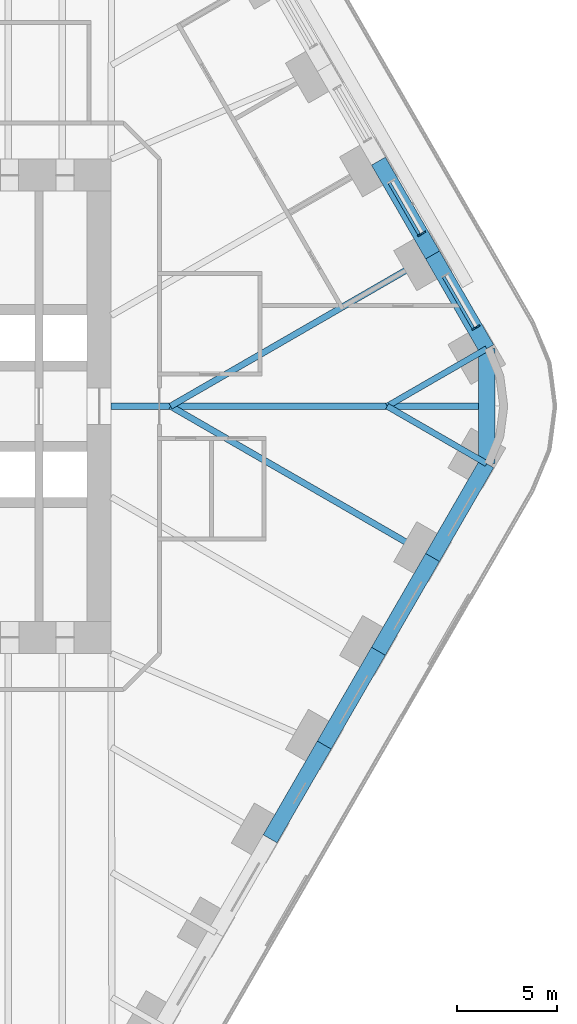
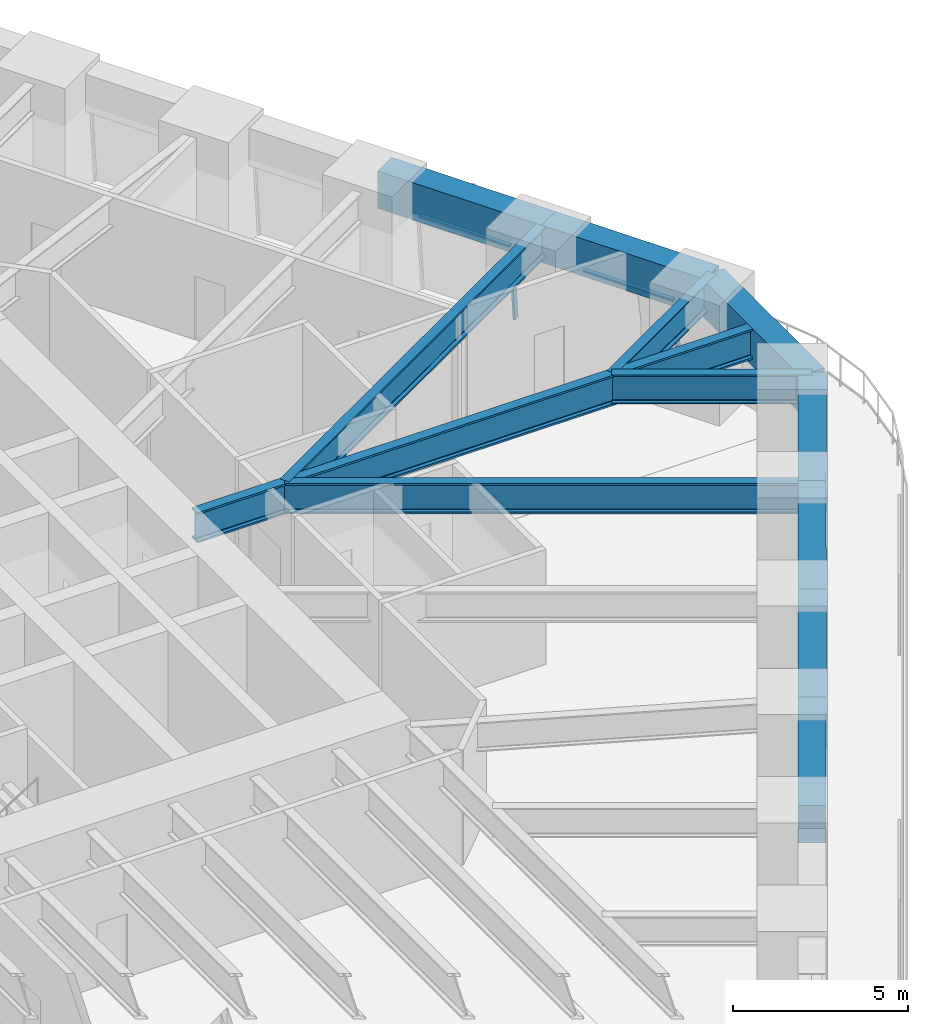
# One storey, part 12 of 23: 12 beams, 4 members, 2 elements without a shape of their own.
"""IFC4 building model written with IfcOpenShell, lengths in metres."""

import ifcopenshell
import ifcopenshell.guid

model = None  # the IFC model being written
_history = None  # IfcOwnerHistory: only IFC2X3 demands one
_inside = {}  # id of a spatial element -> (the spatial element, [elements in it])
_under = {}  # id of a project, library or spatial element -> (it, [spatial elements below it])
_declared = {}  # id of a project -> (the project, [libraries it declares])
_typed = {}  # id of a type object -> (the type object, [elements of that type])
_made_of = {}  # id of a material, layer set ... -> (it, [elements and type objects made of it])


def new_model(schema):
    """Start an empty IFC model of exactly this schema.

    Asked for "IFC4X3", IfcOpenShell would pick the latest addendum, in which some entities
    have other attributes; the version numbers below select the first issue.
    IFC2X3 requires an IfcOwnerHistory on every rooted entity: one is made here for all.
    """
    global model, _history
    if schema == "IFC4X3":
        model = ifcopenshell.file(schema_version=(4, 3, 0, 0))
    else:
        model = ifcopenshell.file(schema=schema)
    _inside.clear()
    _under.clear()
    _declared.clear()
    _typed.clear()
    _made_of.clear()
    _history = None
    if model.schema == "IFC2X3":
        org = make("IfcOrganization", Name="unknown")
        user = make(
            "IfcPersonAndOrganization",
            ThePerson=make("IfcPerson", FamilyName="unknown"),
            TheOrganization=org,
        )
        app = make(
            "IfcApplication",
            ApplicationDeveloper=org,
            Version="unknown",
            ApplicationFullName="unknown",
            ApplicationIdentifier="unknown",
        )
        _history = make(
            "IfcOwnerHistory",
            OwningUser=user,
            OwningApplication=app,
            ChangeAction="ADDED",
            CreationDate=0,
        )
    return model


def make(cls, **values):
    """One entity of the class cls with the attributes given. An attribute that is None is left unset."""
    return model.create_entity(
        cls, **{name: value for name, value in values.items() if value is not None}
    )


def rooted(cls, **values):
    """An entity with a GlobalId (a new one), such as an element, a storey or a relation."""
    return make(cls, GlobalId=ifcopenshell.guid.new(), OwnerHistory=_history, **values)


def si_unit(unit_type, name, prefix=None):
    """IfcSIUnit, for example si_unit("LENGTHUNIT", "METRE", prefix="MILLI")."""
    return make("IfcSIUnit", UnitType=unit_type, Prefix=prefix, Name=name)


def assignment(units):
    """IfcUnitAssignment: the units of a project."""
    return None if units is None else make("IfcUnitAssignment", Units=units)


def point(xyz):
    """IfcCartesianPoint."""
    return None if xyz is None else make("IfcCartesianPoint", Coordinates=xyz)


def direction(xyz):
    """IfcDirection."""
    return None if xyz is None else make("IfcDirection", DirectionRatios=xyz)


def frame(location, z_axis=None, x_axis=None):
    """IfcAxis2Placement3D, a coordinate frame: its origin and axes. An axis left out is left unset."""
    return make(
        "IfcAxis2Placement3D",
        Location=point(location),
        Axis=direction(z_axis),
        RefDirection=direction(x_axis),
    )


def frame_2d(location, x_axis=None):
    """IfcAxis2Placement2D, a coordinate frame in the plane: its origin and x axis."""
    return make(
        "IfcAxis2Placement2D", Location=point(location), RefDirection=direction(x_axis)
    )


def origin():
    """The frame at (0, 0, 0) with its axes left unset."""
    return frame((0.0, 0.0, 0.0))


def origin_2d():
    """The frame at (0, 0) in the plane with its x axis left unset."""
    return frame_2d((0.0, 0.0))


def place(relative_to, where):
    """IfcLocalPlacement: puts the frame where relative to a parent placement (None: the world)."""
    return make(
        "IfcLocalPlacement", PlacementRelTo=relative_to, RelativePlacement=where
    )


def context(
    kind, dimensions, precision=None, world=None, true_north=None, identifier=None
):
    """IfcGeometricRepresentationContext, for example the 3D "Model" context."""
    return make(
        "IfcGeometricRepresentationContext",
        ContextIdentifier=identifier,
        ContextType=kind,
        CoordinateSpaceDimension=dimensions,
        Precision=precision,
        WorldCoordinateSystem=world,
        TrueNorth=true_north,
    )


def subcontext(parent, identifier, kind, view, scale=None):
    """IfcGeometricRepresentationSubContext, for example "Body" below "Model"."""
    return make(
        "IfcGeometricRepresentationSubContext",
        ContextIdentifier=identifier,
        ContextType=kind,
        ParentContext=parent,
        TargetScale=scale,
        TargetView=view,
    )


def project(units=None, contexts=None):
    """IfcProject with its units and contexts."""
    return rooted(
        "IfcProject",
        Name="project",
        RepresentationContexts=contexts,
        UnitsInContext=assignment(units),
    )


def spatial(cls, under=None, at=None, **own):
    """A site, building, storey or space (cls), placed at a placement, below another one or the project."""
    s = rooted(cls, ObjectPlacement=at, **own)
    if under is not None:
        _under.setdefault(under.id(), (under, []))[1].append(s)
    return s


def profile(cls, at=None, kind="AREA", **sizes):
    """A parametric profile (cls). Its sizes go by their IFC names, for example OverallWidth=200.0."""
    return make(cls, ProfileType=kind, Position=at, **sizes)


def rectangle(**sizes):
    """IfcRectangleProfileDef."""
    return profile("IfcRectangleProfileDef", **sizes)


def i_section(**sizes):
    """IfcIShapeProfileDef."""
    return profile("IfcIShapeProfileDef", **sizes)


def extrude(swept, where, along, depth):
    """IfcExtrudedAreaSolid: the profile swept, set in the frame where, extruded along a direction by depth."""
    return make(
        "IfcExtrudedAreaSolid",
        SweptArea=swept,
        Position=where,
        ExtrudedDirection=direction(along),
        Depth=depth,
    )


def shape(context_of_items, identifier, shape_type, items):
    """IfcShapeRepresentation: the items that make up one representation, for example the "Body"."""
    return make(
        "IfcShapeRepresentation",
        ContextOfItems=context_of_items,
        RepresentationIdentifier=identifier,
        RepresentationType=shape_type,
        Items=items,
    )


def material(Name=None, Category=None):
    """IfcMaterial."""
    return make("IfcMaterial", Name=Name, Category=Category)


def material_profile(
    of_material, cross_section, Name=None, Category=None, Priority=None
):
    """IfcMaterialProfile: a cross section and its material."""
    return make(
        "IfcMaterialProfile",
        Name=Name,
        Material=of_material,
        Profile=cross_section,
        Priority=Priority,
        Category=Category,
    )


def profile_set(profiles, Name=None, composite=None):
    """IfcMaterialProfileSet."""
    return make(
        "IfcMaterialProfileSet",
        Name=Name,
        MaterialProfiles=profiles,
        CompositeProfile=composite,
    )


def made_of(thing, what):
    """Note that an element or type object is made of a material, layer set ...; save() writes the relation."""
    if what is not None:
        _made_of.setdefault(what.id(), (what, []))[1].append(thing)
    return thing


def type_object(cls, material=None, **own):
    """A type object (cls), such as IfcWallType, which elements share."""
    return made_of(rooted(cls, **own), material)


def element(
    cls,
    number,
    at=None,
    inside=None,
    cuts=None,
    type_object=None,
    material=None,
    context=None,
    identifier="Body",
    shape_type=None,
    held_by="IfcProductDefinitionShape",
    body=None,
    shapes=None,
    **own,
):
    """One element of the class cls, such as IfcWall. Its Tag is "e" and its number.

    at: its placement. inside: the storey or other place that contains it. cuts: it is an
    opening in that element (IfcRelVoidsElement). A single representation is given by context,
    identifier, shape_type and body (its items); several are given by shapes. held_by: the class
    of the entity that holds the representations. save() writes the other relations.
    """
    e = rooted(cls, Tag="e%d" % number, ObjectPlacement=at, **own)
    if body is not None:
        shapes = [shape(context, identifier, shape_type, body)]
    if shapes is not None:
        e.Representation = make(held_by, Representations=shapes)
    if inside is not None:
        _inside.setdefault(inside.id(), (inside, []))[1].append(e)
    if cuts is not None:
        rooted(
            "IfcRelVoidsElement", RelatingBuildingElement=cuts, RelatedOpeningElement=e
        )
    if type_object is not None:
        _typed.setdefault(type_object.id(), (type_object, []))[1].append(e)
    return made_of(e, material)


def aggregate(whole, parts):
    """IfcRelAggregates: a whole, such as a stair, and the parts it consists of."""
    return rooted("IfcRelAggregates", RelatingObject=whole, RelatedObjects=parts)


def save(model, path):
    """Write the relations noted so far, then the file.

    IfcRelAggregates (storeys below a building ...), IfcRelContainedInSpatialStructure (elements
    in a storey), IfcRelDefinesByType, IfcRelAssociatesMaterial and IfcRelDeclares: one each for
    every whole, place, type object, material and project.
    """
    for whole, parts in _under.values():
        aggregate(whole, parts)
    for where, things in _inside.values():
        rooted(
            "IfcRelContainedInSpatialStructure",
            RelatedElements=things,
            RelatingStructure=where,
        )
    for kind, things in _typed.values():
        rooted("IfcRelDefinesByType", RelatedObjects=things, RelatingType=kind)
    for what, things in _made_of.values():
        rooted("IfcRelAssociatesMaterial", RelatedObjects=things, RelatingMaterial=what)
    for by, libraries in _declared.values():
        rooted("IfcRelDeclares", RelatingContext=by, RelatedDefinitions=libraries)
    model.write(path)


model = new_model("IFC4")

# Units and contexts
model_context = context("Model", 3, precision=1e-05, world=origin(), true_north=direction((0.0, 1.0)))
body_context = subcontext(model_context, "Body", "Model", "MODEL_VIEW")
ifc_project = project(units=[si_unit("LENGTHUNIT", "METRE"), si_unit("AREAUNIT", "SQUARE_METRE"), si_unit("VOLUMEUNIT", "CUBIC_METRE"), si_unit("PLANEANGLEUNIT", "RADIAN"), si_unit("MASSUNIT", "GRAM", prefix="KILO")], contexts=[model_context])

# Site, building, storey
site_placement = place(None, origin())
site = spatial("IfcSite", under=ifc_project, at=site_placement, CompositionType="ELEMENT")
building_placement = place(site_placement, origin())
building = spatial("IfcBuilding", under=site, at=building_placement, Name="Tarfa Lantern Tower", CompositionType="ELEMENT")
storey_placement = place(building_placement, frame((0.0, 0.0, 40.300048828125)))
storey = spatial("IfcBuildingStorey", under=building, at=storey_placement, Name="L08", CompositionType="ELEMENT", Elevation=40.300048828125)

# Curtain wall, member
ifc_material_1 = material(Name="Aluminium framed curtain wall", Category="aluminium")
curtain_wall_type = type_object("IfcCurtainWallType", Name="CW1 CANTED GLAZING LOW ZONE 2700", PredefinedType="USERDEFINED", material=ifc_material_1)
curtain_wall_1_placement = place(storey_placement, origin())
curtain_wall_1 = element("IfcCurtainWall", 1, at=curtain_wall_1_placement, inside=storey, type_object=curtain_wall_type, Name="CW1 NE L08", ObjectType="CURTAIN WALL", PredefinedType="USERDEFINED")
ifc_material_2 = material(Name="Aluminium mullion", Category="aluminium")
ifc_material_profile_1 = material_profile(ifc_material_2, rectangle(XDim=0.06494140625, YDim=0.199951171875, at=origin_2d()), Name="AL MULLION 65x200")
ifc_profile_set_1 = profile_set([ifc_material_profile_1], Name="Aluminium mullion")
member_type_1 = type_object("IfcMemberType", Name="CWM1 MULLION 65x200", PredefinedType="MULLION", material=ifc_profile_set_1)
member_1_placement = place(storey_placement, frame((36.849853515625, 3.97412109375, 0.0), z_axis=(-0.07986442134, -0.046099868913, 0.99573916077), x_axis=(0.499919672301, -0.866071776036, 0.0)))
member_1 = element("IfcMember", 2, at=member_1_placement, type_object=member_type_1, Name="CW1 mullion 1", PredefinedType="MULLION", context=body_context, shape_type="SweptSolid", body=[
    extrude(rectangle(XDim=0.06494140625, YDim=0.199951171875, at=origin_2d()), origin(), (0.0, 0.0, 1.0), 2.71142578125),
])

curtain_wall_2_placement = place(storey_placement, origin())
curtain_wall_2 = element("IfcCurtainWall", 3, at=curtain_wall_2_placement, inside=storey, type_object=curtain_wall_type, Name="CW1 NE L08", ObjectType="CURTAIN WALL", PredefinedType="USERDEFINED")
member_2_placement = place(storey_placement, frame((34.155517578125, 8.640625, 0.0), z_axis=(-0.079774955866, -0.04610020023, 0.995746317068), x_axis=(0.500342721131, -0.865827443207, 0.0)))
member_2 = element("IfcMember", 4, at=member_2_placement, type_object=member_type_1, Name="CW1 mullion 1", PredefinedType="MULLION", context=body_context, shape_type="SweptSolid", body=[
    extrude(rectangle(XDim=0.06494140625, YDim=0.199951171875, at=origin_2d()), origin(), (0.0, 0.0, 1.0), 2.71142578125),
])

# Member
ifc_material_3 = material(Name="Aluminium transom", Category="aluminium")
ifc_material_profile_2 = material_profile(ifc_material_3, rectangle(XDim=0.14990234375, YDim=0.06494140625, at=origin_2d()), Name="AL TRANSOM 150x65")
ifc_profile_set_2 = profile_set([ifc_material_profile_2], Name="Aluminium transom")
member_type_2 = type_object("IfcMemberType", Name="CWT1 TRANSOM 150x65", PredefinedType="USERDEFINED", material=ifc_profile_set_2)
member_3_placement = place(storey_placement, frame((36.619873046875, 3.878662109375, 2.66748046875), z_axis=(-0.50004387232, 0.866000072607, 0.0), x_axis=(-0.866000072607, -0.50004387232, 0.0)))
member_3 = element("IfcMember", 5, at=member_3_placement, type_object=member_type_2, Name="CW1 transom 1.2", ObjectType="TRANSOM", PredefinedType="USERDEFINED", context=body_context, shape_type="SweptSolid", body=[
    extrude(rectangle(XDim=0.14990234375, YDim=0.06494140625, at=origin_2d()), origin(), (0.0, 0.0, 1.0), 2.958740234375),
])

aggregate(curtain_wall_1, [member_1, member_3])

member_4_placement = place(storey_placement, frame((33.925537109375, 8.54541015625, 2.66748046875), z_axis=(-0.50004387232, 0.866000072607, 0.0), x_axis=(-0.866000072607, -0.50004387232, 0.0)))
member_4 = element("IfcMember", 6, at=member_4_placement, type_object=member_type_2, Name="CW1 transom 1.2", ObjectType="TRANSOM", PredefinedType="USERDEFINED", context=body_context, shape_type="SweptSolid", body=[
    extrude(rectangle(XDim=0.14990234375, YDim=0.06494140625, at=origin_2d()), origin(), (0.0, 0.0, 1.0), 2.958740234375),
])

aggregate(curtain_wall_2, [member_2, member_4])

# Beams
ifc_material_4 = material(Name="Concrete C80/95", Category="concrete")
ifc_material_profile_3 = material_profile(ifc_material_4, rectangle(XDim=0.800048828125, YDim=1.300048828125, at=origin_2d()), Name="RC 800x1300")
ifc_profile_set_3 = profile_set([ifc_material_profile_3], Name="Concrete C80/95")
beam_type_1 = type_object("IfcBeamType", Name="EB1 RC 800x1300", PredefinedType="SPANDREL", material=ifc_profile_set_3)
beam_1_placement = place(storey_placement, frame((37.285400390625, 2.860107421875, 3.349853515625), z_axis=(-0.500017906299, 0.866015065331, 0.0), x_axis=(-0.866015065331, -0.500017906299, 0.0)))
element("IfcBeam", 7, at=beam_1_placement, inside=storey, type_object=beam_type_1, Name="Edge beam NE0", PredefinedType="SPANDREL", context=body_context, shape_type="SweptSolid", body=[
    extrude(rectangle(XDim=0.800048828125, YDim=1.300048828125, at=origin_2d()), origin(), (0.0, 0.0, 1.0), 5.388427734375),
])
beam_2_placement = place(storey_placement, frame((34.591064453125, 7.526611328125, 3.349853515625), z_axis=(-0.499998287579, 0.866026392449, 0.0), x_axis=(-0.866026392449, -0.499998287579, 0.0)))
element("IfcBeam", 8, at=beam_2_placement, inside=storey, type_object=beam_type_1, Name="Edge beam NE1", PredefinedType="SPANDREL", context=body_context, shape_type="SweptSolid", body=[
    extrude(rectangle(XDim=0.800048828125, YDim=1.300048828125, at=origin_2d()), origin(), (0.0, 0.0, 1.0), 5.388671875),
])
beam_3_placement = place(storey_placement, frame((26.508056640625, -21.526611328125, 3.349853515625), z_axis=(0.500017906299, 0.866015065331, 0.0), x_axis=(-0.866015065331, 0.500017906299, 0.0)))
element("IfcBeam", 9, at=beam_3_placement, inside=storey, type_object=beam_type_1, Name="Edge beam SE2", PredefinedType="SPANDREL", context=body_context, shape_type="SweptSolid", body=[
    extrude(rectangle(XDim=0.800048828125, YDim=1.300048828125, at=origin_2d()), origin(), (0.0, 0.0, 1.0), 5.388427734375),
])
for number, where, z_axis, x_axis, name in (
    (10, (29.202392578125, -16.860107421875, 3.349853515625), (0.499998287579, 0.866026392449, 0.0), (-0.866026392449, 0.499998287579, 0.0), "Edge beam SE3"),
    (11, (31.896728515625, -12.193359375, 3.349853515625), (0.499998287579, 0.866026392449, 0.0), (-0.866026392449, 0.499998287579, 0.0), "Edge beam SE4"),
):
    element("IfcBeam", number, at=place(storey_placement, frame(where, z_axis=z_axis, x_axis=x_axis)), inside=storey, type_object=beam_type_1, Name=name, PredefinedType="SPANDREL", context=body_context, shape_type="SweptSolid", body=[
        extrude(rectangle(XDim=0.800048828125, YDim=1.300048828125, at=origin_2d()), origin(), (0.0, 0.0, 1.0), 5.388671875),
    ])
beam_4_placement = place(storey_placement, frame((34.591064453125, -7.526611328125, 3.349853515625), z_axis=(0.500017906299, 0.866015065331, 0.0), x_axis=(-0.866015065331, 0.500017906299, 0.0)))
element("IfcBeam", 12, at=beam_4_placement, inside=storey, type_object=beam_type_1, Name="Edge beam SE5", PredefinedType="SPANDREL", context=body_context, shape_type="SweptSolid", body=[
    extrude(rectangle(XDim=0.800048828125, YDim=1.300048828125, at=origin_2d()), origin(), (0.0, 0.0, 1.0), 5.388427734375),
])
beam_5_placement = place(storey_placement, frame((37.285400390625, -2.860107421875, 3.349853515625), z_axis=(0.0, 1.0, 0.0), x_axis=(-1.0, 0.0, 0.0)))
element("IfcBeam", 13, at=beam_5_placement, inside=storey, type_object=beam_type_1, Name="Edge beam SE6", PredefinedType="SPANDREL", context=body_context, shape_type="SweptSolid", body=[
    extrude(rectangle(XDim=0.800048828125, YDim=1.300048828125, at=origin_2d()), origin(), (0.0, 0.0, 1.0), 5.72021484375),
])
ifc_material_5 = material(Name="Steel S460M", Category="steel")
ifc_material_profile_4 = material_profile(ifc_material_5, i_section(OverallWidth=0.302001953125, OverallDepth=1.008056640625, WebThickness=0.02099609375, FlangeThickness=0.0400390625, FilletRadius=0.030029296875, at=origin_2d()), Name="UB1016x305x349")
ifc_profile_set_4 = profile_set([ifc_material_profile_4], Name="Steel S460M")
beam_type_2 = type_object("IfcBeamType", Name="UB1016x305x349", PredefinedType="BEAM", material=ifc_profile_set_4)
for number, where, z_axis, x_axis, name in (
    (14, (37.285400390625, 2.860107421875, 3.495849609375), (-0.866025668288, -0.499999541866, 0.0), (0.499999541866, -0.866025668288, 0.0), "Floor beam NE0"),
    (15, (37.285400390625, -2.860107421875, 3.495849609375), (-0.866025668288, 0.499999541866, 0.0), (-0.499999541866, -0.866025668288, 0.0), "Floor beam SE6"),
):
    element("IfcBeam", number, at=place(storey_placement, frame(where, z_axis=z_axis, x_axis=x_axis)), inside=storey, type_object=beam_type_2, Name=name, PredefinedType="BEAM", context=body_context, shape_type="SweptSolid", body=[
        extrude(i_section(OverallWidth=0.302001953125, OverallDepth=1.008056640625, WebThickness=0.02099609375, FlangeThickness=0.0400390625, FilletRadius=0.030029296875, at=origin_2d()), origin(), (0.0, 0.0, 1.0), 5.72021484375),
    ])
ifc_material_profile_5 = material_profile(ifc_material_5, i_section(OverallWidth=0.314208984375, OverallDepth=1.055908203125, WebThickness=0.035888671875, FlangeThickness=0.06396484375, FilletRadius=0.030029296875, at=origin_2d()), Name="UB1016x305x584")
ifc_profile_set_5 = profile_set([ifc_material_profile_5], Name="Steel S460M")
beam_type_3 = type_object("IfcBeamType", Name="UB1016x305x584", PredefinedType="BEAM", material=ifc_profile_set_5)
beam_6_placement = place(storey_placement, frame((18.60009765625, 0.0, 3.471923828125), z_axis=(1.0, 0.0, 0.0), x_axis=(0.0, 1.0, 0.0)))
element("IfcBeam", 16, at=beam_6_placement, inside=storey, type_object=beam_type_3, Name="Hip girder E", PredefinedType="BEAM", context=body_context, shape_type="SweptSolid", body=[
    extrude(i_section(OverallWidth=0.314208984375, OverallDepth=1.055908203125, WebThickness=0.035888671875, FlangeThickness=0.06396484375, FilletRadius=0.030029296875, at=origin_2d()), origin(), (0.0, 0.0, 1.0), 18.685302734375),
])
for number, where, z_axis, x_axis, name in (
    (17, (34.591064453125, 7.526611328125, 3.471923828125), (-0.86602785945, -0.499995746638, 0.0), (0.499995746638, -0.86602785945, 0.0), "Floor beam NE1"),
    (18, (34.591064453125, -7.526611328125, 3.471923828125), (-0.86602785945, 0.499995746638, 0.0), (-0.499995746638, -0.86602785945, 0.0), "Floor beam SE5"),
):
    element("IfcBeam", number, at=place(storey_placement, frame(where, z_axis=z_axis, x_axis=x_axis)), inside=storey, type_object=beam_type_3, Name=name, PredefinedType="BEAM", context=body_context, shape_type="SweptSolid", body=[
        extrude(i_section(OverallWidth=0.314208984375, OverallDepth=1.055908203125, WebThickness=0.035888671875, FlangeThickness=0.06396484375, FilletRadius=0.030029296875, at=origin_2d()), origin(), (0.0, 0.0, 1.0), 15.053466796875),
    ])

save(model, "model.ifc")
